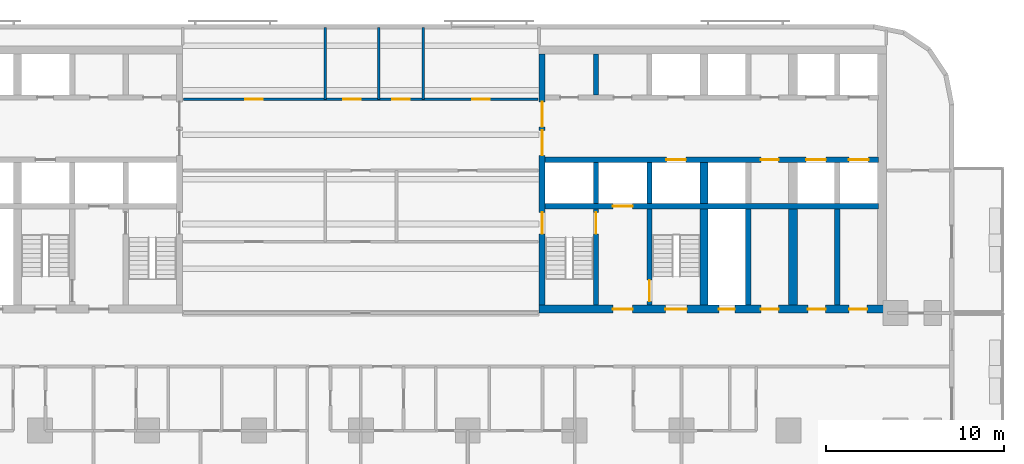
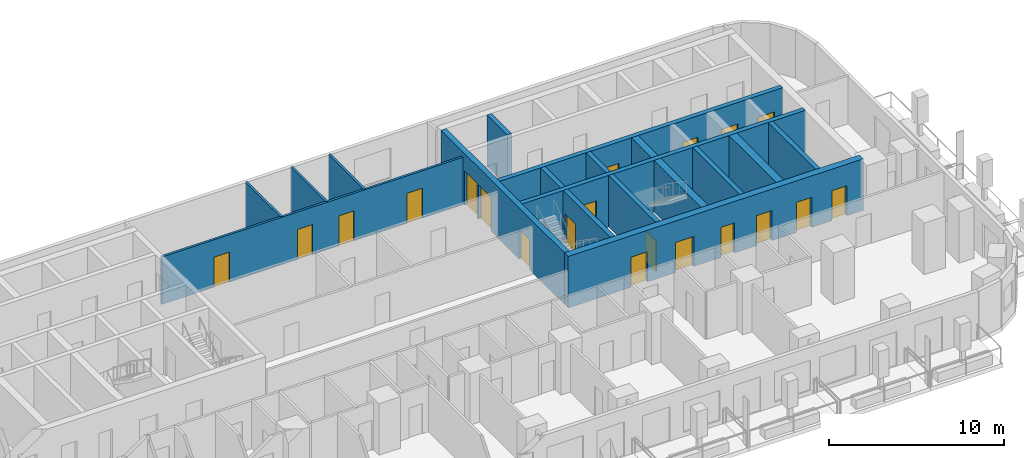
# One storey, part 7 of 14: 20 doors, 18 walls, 20 openings.
"""IFC4 building model written with IfcOpenShell, lengths in metres."""

import ifcopenshell
import ifcopenshell.guid

model = None  # the IFC model being written
_history = None  # IfcOwnerHistory: only IFC2X3 demands one
_inside = {}  # id of a spatial element -> (the spatial element, [elements in it])
_under = {}  # id of a project, library or spatial element -> (it, [spatial elements below it])
_declared = {}  # id of a project -> (the project, [libraries it declares])
_typed = {}  # id of a type object -> (the type object, [elements of that type])
_made_of = {}  # id of a material, layer set ... -> (it, [elements and type objects made of it])


def new_model(schema):
    """Start an empty IFC model of exactly this schema.

    Asked for "IFC4X3", IfcOpenShell would pick the latest addendum, in which some entities
    have other attributes; the version numbers below select the first issue.
    IFC2X3 requires an IfcOwnerHistory on every rooted entity: one is made here for all.
    """
    global model, _history
    if schema == "IFC4X3":
        model = ifcopenshell.file(schema_version=(4, 3, 0, 0))
    else:
        model = ifcopenshell.file(schema=schema)
    _inside.clear()
    _under.clear()
    _declared.clear()
    _typed.clear()
    _made_of.clear()
    _history = None
    if model.schema == "IFC2X3":
        org = make("IfcOrganization", Name="unknown")
        user = make(
            "IfcPersonAndOrganization",
            ThePerson=make("IfcPerson", FamilyName="unknown"),
            TheOrganization=org,
        )
        app = make(
            "IfcApplication",
            ApplicationDeveloper=org,
            Version="unknown",
            ApplicationFullName="unknown",
            ApplicationIdentifier="unknown",
        )
        _history = make(
            "IfcOwnerHistory",
            OwningUser=user,
            OwningApplication=app,
            ChangeAction="ADDED",
            CreationDate=0,
        )
    return model


def make(cls, **values):
    """One entity of the class cls with the attributes given. An attribute that is None is left unset."""
    return model.create_entity(
        cls, **{name: value for name, value in values.items() if value is not None}
    )


def rooted(cls, **values):
    """An entity with a GlobalId (a new one), such as an element, a storey or a relation."""
    return make(cls, GlobalId=ifcopenshell.guid.new(), OwnerHistory=_history, **values)


def si_unit(unit_type, name, prefix=None):
    """IfcSIUnit, for example si_unit("LENGTHUNIT", "METRE", prefix="MILLI")."""
    return make("IfcSIUnit", UnitType=unit_type, Prefix=prefix, Name=name)


def assignment(units):
    """IfcUnitAssignment: the units of a project."""
    return None if units is None else make("IfcUnitAssignment", Units=units)


def point(xyz):
    """IfcCartesianPoint."""
    return None if xyz is None else make("IfcCartesianPoint", Coordinates=xyz)


def direction(xyz):
    """IfcDirection."""
    return None if xyz is None else make("IfcDirection", DirectionRatios=xyz)


def frame(location, z_axis=None, x_axis=None):
    """IfcAxis2Placement3D, a coordinate frame: its origin and axes. An axis left out is left unset."""
    return make(
        "IfcAxis2Placement3D",
        Location=point(location),
        Axis=direction(z_axis),
        RefDirection=direction(x_axis),
    )


def frame_2d(location, x_axis=None):
    """IfcAxis2Placement2D, a coordinate frame in the plane: its origin and x axis."""
    return make(
        "IfcAxis2Placement2D", Location=point(location), RefDirection=direction(x_axis)
    )


def origin():
    """The frame at (0, 0, 0) with its axes left unset."""
    return frame((0.0, 0.0, 0.0))


def place(relative_to, where):
    """IfcLocalPlacement: puts the frame where relative to a parent placement (None: the world)."""
    return make(
        "IfcLocalPlacement", PlacementRelTo=relative_to, RelativePlacement=where
    )


def context(
    kind, dimensions, precision=None, world=None, true_north=None, identifier=None
):
    """IfcGeometricRepresentationContext, for example the 3D "Model" context."""
    return make(
        "IfcGeometricRepresentationContext",
        ContextIdentifier=identifier,
        ContextType=kind,
        CoordinateSpaceDimension=dimensions,
        Precision=precision,
        WorldCoordinateSystem=world,
        TrueNorth=true_north,
    )


def subcontext(parent, identifier, kind, view, scale=None):
    """IfcGeometricRepresentationSubContext, for example "Body" below "Model"."""
    return make(
        "IfcGeometricRepresentationSubContext",
        ContextIdentifier=identifier,
        ContextType=kind,
        ParentContext=parent,
        TargetScale=scale,
        TargetView=view,
    )


def project(units=None, contexts=None):
    """IfcProject with its units and contexts."""
    return rooted(
        "IfcProject",
        Name="project",
        RepresentationContexts=contexts,
        UnitsInContext=assignment(units),
    )


def spatial(cls, under=None, at=None, **own):
    """A site, building, storey or space (cls), placed at a placement, below another one or the project."""
    s = rooted(cls, ObjectPlacement=at, **own)
    if under is not None:
        _under.setdefault(under.id(), (under, []))[1].append(s)
    return s


def profile(cls, at=None, kind="AREA", **sizes):
    """A parametric profile (cls). Its sizes go by their IFC names, for example OverallWidth=200.0."""
    return make(cls, ProfileType=kind, Position=at, **sizes)


def rectangle(**sizes):
    """IfcRectangleProfileDef."""
    return profile("IfcRectangleProfileDef", **sizes)


def extrude(swept, where, along, depth):
    """IfcExtrudedAreaSolid: the profile swept, set in the frame where, extruded along a direction by depth."""
    return make(
        "IfcExtrudedAreaSolid",
        SweptArea=swept,
        Position=where,
        ExtrudedDirection=direction(along),
        Depth=depth,
    )


def shape(context_of_items, identifier, shape_type, items):
    """IfcShapeRepresentation: the items that make up one representation, for example the "Body"."""
    return make(
        "IfcShapeRepresentation",
        ContextOfItems=context_of_items,
        RepresentationIdentifier=identifier,
        RepresentationType=shape_type,
        Items=items,
    )


def material(Name=None, Category=None):
    """IfcMaterial."""
    return make("IfcMaterial", Name=Name, Category=Category)


def layer(
    of_material, thickness, ventilated=None, Name=None, Category=None, Priority=None
):
    """IfcMaterialLayer: one layer of a wall or slab, of a material (None: an air gap)."""
    return make(
        "IfcMaterialLayer",
        Material=of_material,
        LayerThickness=thickness,
        IsVentilated=ventilated,
        Name=Name,
        Category=Category,
        Priority=Priority,
    )


def layer_set(layers, Name=None):
    """IfcMaterialLayerSet."""
    return make("IfcMaterialLayerSet", MaterialLayers=layers, LayerSetName=Name)


def made_of(thing, what):
    """Note that an element or type object is made of a material, layer set ...; save() writes the relation."""
    if what is not None:
        _made_of.setdefault(what.id(), (what, []))[1].append(thing)
    return thing


def type_object(cls, material=None, **own):
    """A type object (cls), such as IfcWallType, which elements share."""
    return made_of(rooted(cls, **own), material)


def element(
    cls,
    number,
    at=None,
    inside=None,
    cuts=None,
    type_object=None,
    material=None,
    context=None,
    identifier="Body",
    shape_type=None,
    held_by="IfcProductDefinitionShape",
    body=None,
    shapes=None,
    **own,
):
    """One element of the class cls, such as IfcWall. Its Tag is "e" and its number.

    at: its placement. inside: the storey or other place that contains it. cuts: it is an
    opening in that element (IfcRelVoidsElement). A single representation is given by context,
    identifier, shape_type and body (its items); several are given by shapes. held_by: the class
    of the entity that holds the representations. save() writes the other relations.
    """
    e = rooted(cls, Tag="e%d" % number, ObjectPlacement=at, **own)
    if body is not None:
        shapes = [shape(context, identifier, shape_type, body)]
    if shapes is not None:
        e.Representation = make(held_by, Representations=shapes)
    if inside is not None:
        _inside.setdefault(inside.id(), (inside, []))[1].append(e)
    if cuts is not None:
        rooted(
            "IfcRelVoidsElement", RelatingBuildingElement=cuts, RelatedOpeningElement=e
        )
    if type_object is not None:
        _typed.setdefault(type_object.id(), (type_object, []))[1].append(e)
    return made_of(e, material)


def fill(opening, filler):
    """IfcRelFillsElement: the door or window that sits in an opening."""
    return rooted(
        "IfcRelFillsElement",
        RelatingOpeningElement=opening,
        RelatedBuildingElement=filler,
    )


def aggregate(whole, parts):
    """IfcRelAggregates: a whole, such as a stair, and the parts it consists of."""
    return rooted("IfcRelAggregates", RelatingObject=whole, RelatedObjects=parts)


def save(model, path):
    """Write the relations noted so far, then the file.

    IfcRelAggregates (storeys below a building ...), IfcRelContainedInSpatialStructure (elements
    in a storey), IfcRelDefinesByType, IfcRelAssociatesMaterial and IfcRelDeclares: one each for
    every whole, place, type object, material and project.
    """
    for whole, parts in _under.values():
        aggregate(whole, parts)
    for where, things in _inside.values():
        rooted(
            "IfcRelContainedInSpatialStructure",
            RelatedElements=things,
            RelatingStructure=where,
        )
    for kind, things in _typed.values():
        rooted("IfcRelDefinesByType", RelatedObjects=things, RelatingType=kind)
    for what, things in _made_of.values():
        rooted("IfcRelAssociatesMaterial", RelatedObjects=things, RelatingMaterial=what)
    for by, libraries in _declared.values():
        rooted("IfcRelDeclares", RelatingContext=by, RelatedDefinitions=libraries)
    model.write(path)


model = new_model("IFC4")

# Units and contexts
model_context = context("Model", 3, precision=1e-05, world=origin(), true_north=direction((0.0, 1.0)))
body_context = subcontext(model_context, "Body", "Model", "MODEL_VIEW")
ifc_project = project(units=[si_unit("LENGTHUNIT", "METRE"), si_unit("AREAUNIT", "SQUARE_METRE"), si_unit("VOLUMEUNIT", "CUBIC_METRE"), si_unit("PLANEANGLEUNIT", "RADIAN"), si_unit("MASSUNIT", "GRAM", prefix="KILO")], contexts=[model_context])

# Site, building, storey
site_placement = place(None, origin())
site = spatial("IfcSite", under=ifc_project, at=site_placement, CompositionType="ELEMENT")
building_placement = place(site_placement, origin())
building = spatial("IfcBuilding", under=site, at=building_placement, Name="Torana Hotel and Residences", CompositionType="ELEMENT")
storey_placement = place(building_placement, frame((0.0, 0.0, 99.60009765625)))
storey = spatial("IfcBuildingStorey", under=building, at=storey_placement, Name="L25", CompositionType="ELEMENT", Elevation=99.60009765625)

# Wall, openings, doors
ifc_material_1 = material(Name="Concrete C80/95", Category="concrete")
ifc_layer_1 = layer(ifc_material_1, 0.300048828125)
ifc_layer_set_1 = layer_set([ifc_layer_1], Name="CORE WALL 300 C80/95")
wall_type_1 = type_object("IfcWallType", Name="CORE WALL 300 C80/95", PredefinedType="SHEAR", material=ifc_layer_set_1)
wall_1_placement = place(storey_placement, frame((10.35009765625, -6.39990234375, 0.0), z_axis=(0.0, 0.0, 1.0), x_axis=(1.0, 0.0, 0.0)))
wall_1 = element("IfcWall", 1, at=wall_1_placement, inside=storey, type_object=wall_type_1, Name="Core wall E row-S", PredefinedType="SHEAR", context=body_context, shape_type="SweptSolid", body=[
    extrude(rectangle(XDim=18.699951171875, YDim=0.300048828125, at=frame_2d((9.35009765625, 0.0))), origin(), (0.0, 0.0, 1.0), 3.599853515625),
])
opening_1_placement = place(wall_1_placement, frame((14.64990234375, 0.0, 0.0)))
opening_1 = element("IfcOpeningElement", 2, at=opening_1_placement, cuts=wall_1, Name="Opening LD", PredefinedType="OPENING", context=body_context, shape_type="SweptSolid", body=[
    extrude(rectangle(XDim=1.10009765625, YDim=2.10009765625, at=frame_2d((0.550048828125, 1.050048828125))), frame((0.0, 0.159912109375, 0.0), z_axis=(0.0, -1.0, 0.0), x_axis=(1.0, 0.0, 0.0)), (0.0, 0.0, 1.0), 0.320068359375),
])
opening_2_placement = place(wall_1_placement, frame((17.050048828125, 0.0, 0.0)))
opening_2 = element("IfcOpeningElement", 3, at=opening_2_placement, cuts=wall_1, Name="Opening LD", PredefinedType="OPENING", context=body_context, shape_type="SweptSolid", body=[
    extrude(rectangle(XDim=1.10009765625, YDim=2.10009765625, at=frame_2d((0.550048828125, 1.050048828125))), frame((0.0, 0.159912109375, 0.0), z_axis=(0.0, -1.0, 0.0), x_axis=(1.0, 0.0, 0.0)), (0.0, 0.0, 1.0), 0.320068359375),
])
opening_3_placement = place(wall_1_placement, frame((6.800048828125, 0.0, 0.0)))
opening_3 = element("IfcOpeningElement", 4, at=opening_3_placement, cuts=wall_1, Name="Opening LD", PredefinedType="OPENING", context=body_context, shape_type="SweptSolid", body=[
    extrude(rectangle(XDim=1.10009765625, YDim=2.10009765625, at=frame_2d((0.550048828125, 1.050048828125))), frame((0.0, 0.159912109375, 0.0), z_axis=(0.0, -1.0, 0.0), x_axis=(1.0, 0.0, 0.0)), (0.0, 0.0, 1.0), 0.320068359375),
])
opening_4_placement = place(wall_1_placement, frame((12.10009765625, 0.0, 0.0)))
opening_4 = element("IfcOpeningElement", 5, at=opening_4_placement, cuts=wall_1, Name="Opening L25-30", PredefinedType="OPENING", context=body_context, shape_type="SweptSolid", body=[
    extrude(rectangle(XDim=1.0, YDim=2.10009765625, at=frame_2d((0.5, 1.050048828125))), frame((0.0, 0.159912109375, 0.0), z_axis=(0.0, -1.0, 0.0), x_axis=(1.0, 0.0, 0.0)), (0.0, 0.0, 1.0), 0.320068359375),
])
ifc_material_2 = material(Name="Steel S235", Category="steel")
door_type_1 = type_object("IfcDoorType", Name="CORE ROOM FIRE DOOR D14 1000x2100", OperationType="SINGLE_SWING_LEFT", PredefinedType="DOOR", material=ifc_material_2)
door_1_placement = place(opening_4_placement, frame((0.5, 0.0, 0.0), z_axis=(0.0, 0.0, 1.0), x_axis=(-1.0, 0.0, 0.0)))
door_1 = element("IfcDoor", 6, at=door_1_placement, inside=storey, type_object=door_type_1, Name="Free-M4 door L25", OperationType="SINGLE_SWING_LEFT", OverallHeight=2.10009765625, OverallWidth=1.0, PredefinedType="DOOR", context=body_context, shape_type="SweptSolid", body=[
    extrude(rectangle(XDim=1.0, YDim=2.10009765625, at=frame_2d((0.0, 1.050048828125))), frame((0.0, -0.02490234375, 0.0), z_axis=(0.0, 1.0, 0.0), x_axis=(-1.0, 0.0, 0.0)), (0.0, 0.0, 1.0), 0.050048828125),
])
fill(opening_4, door_1)
ifc_material_3 = material(Name="Stainless steel 316", Category="steel")
door_type_2 = type_object("IfcDoorType", Name="LIFT LANDING DOOR LD 1100x2100", OperationType="DOUBLE_DOOR_SLIDING", PredefinedType="USERDEFINED", material=ifc_material_3)
door_2_placement = place(opening_1_placement, origin())
door_2 = element("IfcDoor", 7, at=door_2_placement, inside=storey, type_object=door_type_2, Name="Lift landing door L7 L25", ObjectType="LIFT LANDING DOOR", OperationType="DOUBLE_DOOR_SLIDING", OverallHeight=2.10009765625, OverallWidth=1.10009765625, PredefinedType="USERDEFINED", context=body_context, shape_type="SweptSolid", body=[
    extrude(rectangle(XDim=1.10009765625, YDim=2.10009765625, at=frame_2d((0.550048828125, 1.050048828125))), frame((0.0, 0.02490234375, 0.0), z_axis=(0.0, -1.0, 0.0), x_axis=(1.0, 0.0, 0.0)), (0.0, 0.0, 1.0), 0.050048828125),
])
fill(opening_1, door_2)
door_3_placement = place(opening_2_placement, origin())
door_3 = element("IfcDoor", 8, at=door_3_placement, inside=storey, type_object=door_type_2, Name="Lift landing door L8 L25", ObjectType="LIFT LANDING DOOR", OperationType="DOUBLE_DOOR_SLIDING", OverallHeight=2.10009765625, OverallWidth=1.10009765625, PredefinedType="USERDEFINED", context=body_context, shape_type="SweptSolid", body=[
    extrude(rectangle(XDim=1.10009765625, YDim=2.10009765625, at=frame_2d((0.550048828125, 1.050048828125))), frame((0.0, 0.02490234375, 0.0), z_axis=(0.0, -1.0, 0.0), x_axis=(1.0, 0.0, 0.0)), (0.0, 0.0, 1.0), 0.050048828125),
])
fill(opening_2, door_3)
door_4_placement = place(opening_3_placement, origin())
door_4 = element("IfcDoor", 9, at=door_4_placement, inside=storey, type_object=door_type_2, Name="Lift landing door SV2 L25", ObjectType="LIFT LANDING DOOR", OperationType="DOUBLE_DOOR_SLIDING", OverallHeight=2.10009765625, OverallWidth=1.10009765625, PredefinedType="USERDEFINED", context=body_context, shape_type="SweptSolid", body=[
    extrude(rectangle(XDim=1.10009765625, YDim=2.10009765625, at=frame_2d((0.550048828125, 1.050048828125))), frame((0.0, 0.02490234375, 0.0), z_axis=(0.0, -1.0, 0.0), x_axis=(1.0, 0.0, 0.0)), (0.0, 0.0, 1.0), 0.050048828125),
])
fill(opening_3, door_4)

# Wall, opening, door
wall_2_placement = place(storey_placement, frame((10.35009765625, -9.0, 0.0), z_axis=(0.0, 0.0, 1.0), x_axis=(1.0, 0.0, 0.0)))
wall_2 = element("IfcWall", 10, at=wall_2_placement, inside=storey, type_object=wall_type_1, Name="Core wall E band", PredefinedType="SHEAR", context=body_context, shape_type="SweptSolid", body=[
    extrude(rectangle(XDim=18.699951171875, YDim=0.300048828125, at=frame_2d((9.35009765625, 0.0))), origin(), (0.0, 0.0, 1.0), 3.599853515625),
])
opening_5_placement = place(wall_2_placement, frame((3.800048828125, 0.0, 0.0)))
opening_5 = element("IfcOpeningElement", 11, at=opening_5_placement, cuts=wall_2, Name="Opening LD", PredefinedType="OPENING", context=body_context, shape_type="SweptSolid", body=[
    extrude(rectangle(XDim=1.10009765625, YDim=2.10009765625, at=frame_2d((0.550048828125, 1.050048828125))), frame((0.0, 0.159912109375, 0.0), z_axis=(0.0, -1.0, 0.0), x_axis=(1.0, 0.0, 0.0)), (0.0, 0.0, 1.0), 0.320068359375),
])
door_5_placement = place(opening_5_placement, origin())
door_5 = element("IfcDoor", 12, at=door_5_placement, inside=storey, type_object=door_type_2, Name="Lift landing door FF2 L25", ObjectType="LIFT LANDING DOOR", OperationType="DOUBLE_DOOR_SLIDING", OverallHeight=2.10009765625, OverallWidth=1.10009765625, PredefinedType="USERDEFINED", context=body_context, shape_type="SweptSolid", body=[
    extrude(rectangle(XDim=1.10009765625, YDim=2.10009765625, at=frame_2d((0.550048828125, 1.050048828125))), frame((0.0, 0.02490234375, 0.0), z_axis=(0.0, -1.0, 0.0), x_axis=(1.0, 0.0, 0.0)), (0.0, 0.0, 1.0), 0.050048828125),
])
fill(opening_5, door_5)

# Walls
for number, where, z_axis, x_axis, name in (
    (13, (13.199951171875, -2.75, 0.0), (0.0, 0.0, 1.0), (0.0, 1.0, 0.0), "Core wall E x3.05-N"),
    (14, (13.199951171875, -8.85009765625, 0.0), (0.0, 0.0, 1.0), (0.0, 1.0, 0.0), "Core wall E x3.05-S"),
):
    element("IfcWall", number, at=place(storey_placement, frame(where, z_axis=z_axis, x_axis=x_axis)), inside=storey, type_object=wall_type_1, Name=name, PredefinedType="SHEAR", context=body_context, shape_type="SweptSolid", body=[
        extrude(rectangle(XDim=2.300048828125, YDim=0.300048828125, at=frame_2d((1.14990234375, 0.0))), origin(), (0.0, 0.0, 1.0), 3.599853515625),
    ])

# Wall, opening, door
wall_3_placement = place(storey_placement, frame((13.199951171875, -14.550048828125, 0.0), z_axis=(0.0, 0.0, 1.0), x_axis=(0.0, 1.0, 0.0)))
wall_3 = element("IfcWall", 15, at=wall_3_placement, inside=storey, type_object=wall_type_1, Name="Core wall E x3.05-band", PredefinedType="SHEAR", context=body_context, shape_type="SweptSolid", body=[
    extrude(rectangle(XDim=5.400146484375, YDim=0.300048828125, at=frame_2d((2.7001953125, 0.0))), origin(), (0.0, 0.0, 1.0), 3.599853515625),
])
opening_6_placement = place(wall_3_placement, frame((4.0, 0.0, 0.0)))
opening_6 = element("IfcOpeningElement", 16, at=opening_6_placement, cuts=wall_3, Name="Opening L25-31", PredefinedType="OPENING", context=body_context, shape_type="SweptSolid", body=[
    extrude(rectangle(XDim=1.199951171875, YDim=2.10009765625, at=frame_2d((0.60009765625, 1.050048828125))), frame((0.0, 0.159912109375, 0.0), z_axis=(0.0, -1.0, 0.0), x_axis=(1.0, 0.0, 0.0)), (0.0, 0.0, 1.0), 0.320068359375),
])
ifc_material_4 = material(Name="Steel S235", Category="steel")
door_type_3 = type_object("IfcDoorType", Name="STAIR FIRE DOOR D3 1200x2100", OperationType="SINGLE_SWING_LEFT", PredefinedType="DOOR", material=ifc_material_4)
door_6_placement = place(opening_6_placement, origin())
door_6 = element("IfcDoor", 17, at=door_6_placement, inside=storey, type_object=door_type_3, Name="Stair-A-lobby door L25", OperationType="SINGLE_SWING_LEFT", OverallHeight=2.10009765625, OverallWidth=1.199951171875, PredefinedType="DOOR", context=body_context, shape_type="SweptSolid", body=[
    extrude(rectangle(XDim=1.199951171875, YDim=2.10009765625, at=frame_2d((0.60009765625, 1.050048828125))), frame((0.0, 0.02490234375, 0.0), z_axis=(0.0, -1.0, 0.0), x_axis=(1.0, 0.0, 0.0)), (0.0, 0.0, 1.0), 0.050048828125),
])
fill(opening_6, door_6)

# Wall
wall_4_placement = place(storey_placement, frame((16.199951171875, -8.85009765625, 0.0), z_axis=(0.0, 0.0, 1.0), x_axis=(0.0, 1.0, 0.0)))
element("IfcWall", 18, at=wall_4_placement, inside=storey, type_object=wall_type_1, Name="Core wall E x6.05-S", PredefinedType="SHEAR", context=body_context, shape_type="SweptSolid", body=[
    extrude(rectangle(XDim=2.300048828125, YDim=0.300048828125, at=frame_2d((1.14990234375, 0.0))), origin(), (0.0, 0.0, 1.0), 3.599853515625),
])

# Wall, opening, door
wall_5_placement = place(storey_placement, frame((16.199951171875, -14.550048828125, 0.0), z_axis=(0.0, 0.0, 1.0), x_axis=(0.0, 1.0, 0.0)))
wall_5 = element("IfcWall", 19, at=wall_5_placement, inside=storey, type_object=wall_type_1, Name="Core wall E x6.05-band", PredefinedType="SHEAR", context=body_context, shape_type="SweptSolid", body=[
    extrude(rectangle(XDim=5.400146484375, YDim=0.300048828125, at=frame_2d((2.7001953125, 0.0))), origin(), (0.0, 0.0, 1.0), 3.599853515625),
])
opening_7_placement = place(wall_5_placement, frame((0.199951171875, 0.0, 0.0)))
opening_7 = element("IfcOpeningElement", 20, at=opening_7_placement, cuts=wall_5, Name="Opening L25-32", PredefinedType="OPENING", context=body_context, shape_type="SweptSolid", body=[
    extrude(rectangle(XDim=1.199951171875, YDim=2.10009765625, at=frame_2d((0.60009765625, 1.050048828125))), frame((0.0, 0.159912109375, 0.0), z_axis=(0.0, -1.0, 0.0), x_axis=(1.0, 0.0, 0.0)), (0.0, 0.0, 1.0), 0.320068359375),
])
door_7_placement = place(opening_7_placement, frame((0.60009765625, 0.0, 0.0), z_axis=(0.0, 0.0, 1.0), x_axis=(-1.0, 0.0, 0.0)))
door_7 = element("IfcDoor", 21, at=door_7_placement, inside=storey, type_object=door_type_3, Name="Stair-B-lobby door L25", OperationType="SINGLE_SWING_LEFT", OverallHeight=2.10009765625, OverallWidth=1.199951171875, PredefinedType="DOOR", context=body_context, shape_type="SweptSolid", body=[
    extrude(rectangle(XDim=1.199951171875, YDim=2.10009765625, at=frame_2d((0.0, 1.050048828125))), frame((0.0, -0.02490234375, 0.0), z_axis=(0.0, 1.0, 0.0), x_axis=(-1.0, 0.0, 0.0)), (0.0, 0.0, 1.0), 0.050048828125),
])
fill(opening_7, door_7)

# Walls
for number, where, z_axis, x_axis, name in (
    (22, (21.75, -14.550048828125, 0.0), (0.0, 0.0, 1.0), (0.0, 1.0, 0.0), "Core wall E mm-band"),
    (23, (26.75, -14.550048828125, 0.0), (0.0, 0.0, 1.0), (0.0, 1.0, 0.0), "Core wall E ll-band"),
):
    element("IfcWall", number, at=place(storey_placement, frame(where, z_axis=z_axis, x_axis=x_axis)), inside=storey, type_object=wall_type_1, Name=name, PredefinedType="SHEAR", context=body_context, shape_type="SweptSolid", body=[
        extrude(rectangle(XDim=5.400146484375, YDim=0.300048828125, at=frame_2d((2.7001953125, 0.0))), origin(), (0.0, 0.0, 1.0), 3.599853515625),
    ])

# Wall, openings, doors
ifc_material_5 = material(Name="Concrete C80/95", Category="concrete")
ifc_layer_2 = layer(ifc_material_5, 0.35009765625)
ifc_layer_set_2 = layer_set([ifc_layer_2], Name="CORE WALL 350 C80/95")
wall_type_2 = type_object("IfcWallType", Name="CORE WALL 350 C80/95", PredefinedType="SHEAR", material=ifc_layer_set_2)
wall_6_placement = place(storey_placement, frame((10.175048828125, -14.550048828125, 0.0), z_axis=(0.0, 0.0, 1.0), x_axis=(0.0, 1.0, 0.0)))
wall_6 = element("IfcWall", 24, at=wall_6_placement, inside=storey, type_object=wall_type_2, Name="Core wall E arch", PredefinedType="SHEAR", context=body_context, shape_type="SweptSolid", body=[
    extrude(rectangle(XDim=14.10009765625, YDim=0.35009765625, at=frame_2d((7.050048828125, 0.0))), origin(), (0.0, 0.0, 1.0), 3.599853515625),
])
opening_8_placement = place(wall_6_placement, frame((8.39990234375, 0.0, 0.0)))
opening_8 = element("IfcOpeningElement", 25, at=opening_8_placement, cuts=wall_6, Name="Opening L25-17", PredefinedType="OPENING", context=body_context, shape_type="SweptSolid", body=[
    extrude(rectangle(XDim=1.39990234375, YDim=2.39990234375, at=frame_2d((0.699951171875, 1.199951171875))), frame((0.0, 0.18505859375, 0.0), z_axis=(0.0, -1.0, 0.0), x_axis=(1.0, 0.0, 0.0)), (0.0, 0.0, 1.0), 0.3701171875),
])
opening_9_placement = place(wall_6_placement, frame((10.0, 0.0, 0.0)))
opening_9 = element("IfcOpeningElement", 26, at=opening_9_placement, cuts=wall_6, Name="Opening L25-18", PredefinedType="OPENING", context=body_context, shape_type="SweptSolid", body=[
    extrude(rectangle(XDim=1.39990234375, YDim=2.39990234375, at=frame_2d((0.699951171875, 1.199951171875))), frame((0.0, 0.18505859375, 0.0), z_axis=(0.0, -1.0, 0.0), x_axis=(1.0, 0.0, 0.0)), (0.0, 0.0, 1.0), 0.3701171875),
])
opening_10_placement = place(wall_6_placement, frame((4.0, 0.0, 0.0)))
opening_10 = element("IfcOpeningElement", 27, at=opening_10_placement, cuts=wall_6, Name="Opening L25-19", PredefinedType="OPENING", context=body_context, shape_type="SweptSolid", body=[
    extrude(rectangle(XDim=1.199951171875, YDim=2.10009765625, at=frame_2d((0.60009765625, 1.050048828125))), frame((0.0, 0.18505859375, 0.0), z_axis=(0.0, -1.0, 0.0), x_axis=(1.0, 0.0, 0.0)), (0.0, 0.0, 1.0), 0.3701171875),
])
ifc_material_6 = material(Name="Steel S235", Category="steel")
door_type_4 = type_object("IfcDoorType", Name="LOBBY FIRE DOOR D4 1400x2400", OperationType="DOUBLE_DOOR_SINGLE_SWING", PredefinedType="DOOR", material=ifc_material_6)
door_8_placement = place(opening_8_placement, origin())
door_8 = element("IfcDoor", 28, at=door_8_placement, inside=storey, type_object=door_type_4, Name="Lobby-1 door L25", OperationType="DOUBLE_DOOR_SINGLE_SWING", OverallHeight=2.39990234375, OverallWidth=1.39990234375, PredefinedType="DOOR", context=body_context, shape_type="SweptSolid", body=[
    extrude(rectangle(XDim=1.39990234375, YDim=2.39990234375, at=frame_2d((0.699951171875, 1.199951171875))), frame((0.0, 0.02490234375, 0.0), z_axis=(0.0, -1.0, 0.0), x_axis=(1.0, 0.0, 0.0)), (0.0, 0.0, 1.0), 0.050048828125),
])
fill(opening_8, door_8)
door_9_placement = place(opening_9_placement, origin())
door_9 = element("IfcDoor", 29, at=door_9_placement, inside=storey, type_object=door_type_4, Name="Lobby-2 door L25", OperationType="DOUBLE_DOOR_SINGLE_SWING", OverallHeight=2.39990234375, OverallWidth=1.39990234375, PredefinedType="DOOR", context=body_context, shape_type="SweptSolid", body=[
    extrude(rectangle(XDim=1.39990234375, YDim=2.39990234375, at=frame_2d((0.699951171875, 1.199951171875))), frame((0.0, 0.02490234375, 0.0), z_axis=(0.0, -1.0, 0.0), x_axis=(1.0, 0.0, 0.0)), (0.0, 0.0, 1.0), 0.050048828125),
])
fill(opening_9, door_9)
door_10_placement = place(opening_10_placement, frame((0.60009765625, 0.0, 0.0), z_axis=(0.0, 0.0, 1.0), x_axis=(-1.0, 0.0, 0.0)))
door_10 = element("IfcDoor", 30, at=door_10_placement, inside=storey, type_object=door_type_3, Name="Stair-A door L25", OperationType="SINGLE_SWING_RIGHT", OverallHeight=2.10009765625, OverallWidth=1.199951171875, PredefinedType="DOOR", context=body_context, shape_type="SweptSolid", body=[
    extrude(rectangle(XDim=1.199951171875, YDim=2.10009765625, at=frame_2d((0.0, 1.050048828125))), frame((0.0, -0.02490234375, 0.0), z_axis=(0.0, 1.0, 0.0), x_axis=(-1.0, 0.0, 0.0)), (0.0, 0.0, 1.0), 0.050048828125),
])
fill(opening_10, door_10)

ifc_material_7 = material(Name="Concrete C80/95", Category="concrete")
ifc_layer_3 = layer(ifc_material_7, 0.449951171875)
ifc_layer_set_3 = layer_set([ifc_layer_3], Name="CORE WALL 450 C80/95")
wall_type_3 = type_object("IfcWallType", Name="CORE WALL 450 C80/95", PredefinedType="SHEAR", material=ifc_layer_set_3)
wall_7_placement = place(storey_placement, frame((10.0, -14.77490234375, 0.0), z_axis=(0.0, 0.0, 1.0), x_axis=(1.0, 0.0, 0.0)))
wall_7 = element("IfcWall", 31, at=wall_7_placement, inside=storey, type_object=wall_type_3, Name="Core wall E front", PredefinedType="SHEAR", context=body_context, shape_type="SweptSolid", body=[
    extrude(rectangle(XDim=19.5, YDim=0.449951171875, at=frame_2d((9.75, 0.0))), origin(), (0.0, 0.0, 1.0), 3.599853515625),
])
opening_11_placement = place(wall_7_placement, frame((7.10009765625, 0.0, 0.0)))
opening_11 = element("IfcOpeningElement", 32, at=opening_11_placement, cuts=wall_7, Name="Opening L25-20", PredefinedType="OPENING", context=body_context, shape_type="SweptSolid", body=[
    extrude(rectangle(XDim=1.199951171875, YDim=2.10009765625, at=frame_2d((0.60009765625, 1.050048828125))), frame((0.0, 0.23486328125, 0.0), z_axis=(0.0, -1.0, 0.0), x_axis=(1.0, 0.0, 0.0)), (0.0, 0.0, 1.0), 0.469970703125),
])
opening_12_placement = place(wall_7_placement, frame((4.14990234375, 0.0, 0.0)))
opening_12 = element("IfcOpeningElement", 33, at=opening_12_placement, cuts=wall_7, Name="Opening L25-21", PredefinedType="OPENING", context=body_context, shape_type="SweptSolid", body=[
    extrude(rectangle(XDim=1.10009765625, YDim=2.10009765625, at=frame_2d((0.550048828125, 1.050048828125))), frame((0.0, 0.23486328125, 0.0), z_axis=(0.0, -1.0, 0.0), x_axis=(1.0, 0.0, 0.0)), (0.0, 0.0, 1.0), 0.469970703125),
])
opening_13_placement = place(wall_7_placement, frame((10.10009765625, 0.0, 0.0)))
opening_13 = element("IfcOpeningElement", 34, at=opening_13_placement, cuts=wall_7, Name="Opening L25-22", PredefinedType="OPENING", context=body_context, shape_type="SweptSolid", body=[
    extrude(rectangle(XDim=0.89990234375, YDim=2.10009765625, at=frame_2d((0.449951171875, 1.050048828125))), frame((0.0, 0.23486328125, 0.0), z_axis=(0.0, -1.0, 0.0), x_axis=(1.0, 0.0, 0.0)), (0.0, 0.0, 1.0), 0.469970703125),
])
opening_14_placement = place(wall_7_placement, frame((12.449951171875, 0.0, 0.0)))
opening_14 = element("IfcOpeningElement", 35, at=opening_14_placement, cuts=wall_7, Name="Opening L25-23", PredefinedType="OPENING", context=body_context, shape_type="SweptSolid", body=[
    extrude(rectangle(XDim=1.0, YDim=2.10009765625, at=frame_2d((0.5, 1.050048828125))), frame((0.0, 0.23486328125, 0.0), z_axis=(0.0, -1.0, 0.0), x_axis=(1.0, 0.0, 0.0)), (0.0, 0.0, 1.0), 0.469970703125),
])
opening_15_placement = place(wall_7_placement, frame((15.08740234375, 0.0, 0.0)))
opening_15 = element("IfcOpeningElement", 36, at=opening_15_placement, cuts=wall_7, Name="Opening L25-24", PredefinedType="OPENING", context=body_context, shape_type="SweptSolid", body=[
    extrude(rectangle(XDim=1.0, YDim=2.10009765625, at=frame_2d((0.5, 1.050048828125))), frame((0.0, 0.23486328125, 0.0), z_axis=(0.0, -1.0, 0.0), x_axis=(1.0, 0.0, 0.0)), (0.0, 0.0, 1.0), 0.469970703125),
])
opening_16_placement = place(wall_7_placement, frame((17.41259765625, 0.0, 0.0)))
opening_16 = element("IfcOpeningElement", 37, at=opening_16_placement, cuts=wall_7, Name="Opening L25-25", PredefinedType="OPENING", context=body_context, shape_type="SweptSolid", body=[
    extrude(rectangle(XDim=1.0, YDim=2.10009765625, at=frame_2d((0.5, 1.050048828125))), frame((0.0, 0.23486328125, 0.0), z_axis=(0.0, -1.0, 0.0), x_axis=(1.0, 0.0, 0.0)), (0.0, 0.0, 1.0), 0.469970703125),
])
door_11_placement = place(opening_14_placement, origin())
door_11 = element("IfcDoor", 38, at=door_11_placement, inside=storey, type_object=door_type_1, Name="M-Room door L25", OperationType="SINGLE_SWING_RIGHT", OverallHeight=2.10009765625, OverallWidth=1.0, PredefinedType="DOOR", context=body_context, shape_type="SweptSolid", body=[
    extrude(rectangle(XDim=1.0, YDim=2.10009765625, at=frame_2d((0.5, 1.050048828125))), frame((0.0, 0.02490234375, 0.0), z_axis=(0.0, -1.0, 0.0), x_axis=(1.0, 0.0, 0.0)), (0.0, 0.0, 1.0), 0.050048828125),
])
fill(opening_14, door_11)
door_12_placement = place(opening_15_placement, origin())
door_12 = element("IfcDoor", 39, at=door_12_placement, inside=storey, type_object=door_type_1, Name="L-A door L25", OperationType="SINGLE_SWING_RIGHT", OverallHeight=2.10009765625, OverallWidth=1.0, PredefinedType="DOOR", context=body_context, shape_type="SweptSolid", body=[
    extrude(rectangle(XDim=1.0, YDim=2.10009765625, at=frame_2d((0.5, 1.050048828125))), frame((0.0, 0.02490234375, 0.0), z_axis=(0.0, -1.0, 0.0), x_axis=(1.0, 0.0, 0.0)), (0.0, 0.0, 1.0), 0.050048828125),
])
fill(opening_15, door_12)
door_13_placement = place(opening_16_placement, origin())
door_13 = element("IfcDoor", 40, at=door_13_placement, inside=storey, type_object=door_type_1, Name="L-B door L25", OperationType="SINGLE_SWING_RIGHT", OverallHeight=2.10009765625, OverallWidth=1.0, PredefinedType="DOOR", context=body_context, shape_type="SweptSolid", body=[
    extrude(rectangle(XDim=1.0, YDim=2.10009765625, at=frame_2d((0.5, 1.050048828125))), frame((0.0, 0.02490234375, 0.0), z_axis=(0.0, -1.0, 0.0), x_axis=(1.0, 0.0, 0.0)), (0.0, 0.0, 1.0), 0.050048828125),
])
fill(opening_16, door_13)
ifc_material_8 = material(Name="Steel S235", Category="steel")
door_type_5 = type_object("IfcDoorType", Name="FIRE-FIGHTING LOBBY DOOR D8 1100x2100", OperationType="SINGLE_SWING_LEFT", PredefinedType="DOOR", material=ifc_material_8)
door_14_placement = place(opening_12_placement, origin())
door_14 = element("IfcDoor", 41, at=door_14_placement, inside=storey, type_object=door_type_5, Name="FF-lobby door L25", OperationType="SINGLE_SWING_RIGHT", OverallHeight=2.10009765625, OverallWidth=1.10009765625, PredefinedType="DOOR", context=body_context, shape_type="SweptSolid", body=[
    extrude(rectangle(XDim=1.10009765625, YDim=2.10009765625, at=frame_2d((0.550048828125, 1.050048828125))), frame((0.0, 0.02490234375, 0.0), z_axis=(0.0, -1.0, 0.0), x_axis=(1.0, 0.0, 0.0)), (0.0, 0.0, 1.0), 0.050048828125),
])
fill(opening_12, door_14)
ifc_material_9 = material(Name="Steel S235", Category="steel")
door_type_6 = type_object("IfcDoorType", Name="RISER ACCESS DOOR D5 900x2100", OperationType="SINGLE_SWING_LEFT", PredefinedType="DOOR", material=ifc_material_9)
door_15_placement = place(opening_13_placement, origin())
door_15 = element("IfcDoor", 42, at=door_15_placement, inside=storey, type_object=door_type_6, Name="M-Riser door L25", OperationType="SINGLE_SWING_RIGHT", OverallHeight=2.10009765625, OverallWidth=0.89990234375, PredefinedType="DOOR", context=body_context, shape_type="SweptSolid", body=[
    extrude(rectangle(XDim=0.89990234375, YDim=2.10009765625, at=frame_2d((0.449951171875, 1.050048828125))), frame((0.0, 0.02490234375, 0.0), z_axis=(0.0, -1.0, 0.0), x_axis=(1.0, 0.0, 0.0)), (0.0, 0.0, 1.0), 0.050048828125),
])
fill(opening_13, door_15)
door_16_placement = place(opening_11_placement, origin())
door_16 = element("IfcDoor", 43, at=door_16_placement, inside=storey, type_object=door_type_3, Name="Stair-B door L25", OperationType="SINGLE_SWING_RIGHT", OverallHeight=2.10009765625, OverallWidth=1.199951171875, PredefinedType="DOOR", context=body_context, shape_type="SweptSolid", body=[
    extrude(rectangle(XDim=1.199951171875, YDim=2.10009765625, at=frame_2d((0.60009765625, 1.050048828125))), frame((0.0, 0.02490234375, 0.0), z_axis=(0.0, -1.0, 0.0), x_axis=(1.0, 0.0, 0.0)), (0.0, 0.0, 1.0), 0.050048828125),
])
fill(opening_11, door_16)

# Walls
wall_8_placement = place(storey_placement, frame((19.27490234375, -8.85009765625, 0.0), z_axis=(0.0, 0.0, 1.0), x_axis=(0.0, 1.0, 0.0)))
element("IfcWall", 44, at=wall_8_placement, inside=storey, type_object=wall_type_3, Name="Core wall E hm-S", PredefinedType="SHEAR", context=body_context, shape_type="SweptSolid", body=[
    extrude(rectangle(XDim=2.300048828125, YDim=0.449951171875, at=frame_2d((1.14990234375, 0.0))), origin(), (0.0, 0.0, 1.0), 3.599853515625),
])
wall_9_placement = place(storey_placement, frame((19.27490234375, -14.550048828125, 0.0), z_axis=(0.0, 0.0, 1.0), x_axis=(0.0, 1.0, 0.0)))
element("IfcWall", 45, at=wall_9_placement, inside=storey, type_object=wall_type_3, Name="Core wall E hm-band", PredefinedType="SHEAR", context=body_context, shape_type="SweptSolid", body=[
    extrude(rectangle(XDim=5.400146484375, YDim=0.449951171875, at=frame_2d((2.7001953125, 0.0))), origin(), (0.0, 0.0, 1.0), 3.599853515625),
])
ifc_material_10 = material(Name="Concrete C80/95", Category="concrete")
ifc_layer_4 = layer(ifc_material_10, 0.5)
ifc_layer_set_4 = layer_set([ifc_layer_4], Name="CORE WALL 500 C80/95")
wall_type_4 = type_object("IfcWallType", Name="CORE WALL 500 C80/95", PredefinedType="SHEAR", material=ifc_layer_set_4)
wall_10_placement = place(storey_placement, frame((24.25, -14.550048828125, 0.0), z_axis=(0.0, 0.0, 1.0), x_axis=(0.0, 1.0, 0.0)))
element("IfcWall", 46, at=wall_10_placement, inside=storey, type_object=wall_type_4, Name="Core wall E ml-band", PredefinedType="SHEAR", context=body_context, shape_type="SweptSolid", body=[
    extrude(rectangle(XDim=5.400146484375, YDim=0.5, at=frame_2d((2.7001953125, 0.0))), origin(), (0.0, 0.0, 1.0), 3.599853515625),
])

# Wall, openings, doors
ifc_material_11 = material(Name="Gypsum plaster")
ifc_layer_5 = layer(ifc_material_11, 0.014892578125, Name="Plaster", Category="finish")
ifc_material_12 = material(Name="Concrete blockwork", Category="masonry")
ifc_layer_6 = layer(ifc_material_12, 0.1201171875, Name="Blockwork", Category="structure")
ifc_layer_7 = layer(ifc_material_11, 0.014892578125, Name="Plaster", Category="finish")
ifc_layer_set_5 = layer_set([ifc_layer_5, ifc_layer_6, ifc_layer_7], Name="FIRE PARTITION 150 BLOCKWORK")
wall_type_5 = type_object("IfcWallType", Name="FIRE PARTITION 150 BLOCKWORK", PredefinedType="PARTITIONING", material=ifc_layer_set_5)
wall_11_placement = place(storey_placement, frame((-9.949951171875, -3.0, 0.0), z_axis=(0.0, 0.0, 1.0), x_axis=(1.0, 0.0, 0.0)))
wall_11 = element("IfcWall", 47, at=wall_11_placement, inside=storey, type_object=wall_type_5, Name="Partition L25", PredefinedType="PARTITIONING", context=body_context, shape_type="SweptSolid", body=[
    extrude(rectangle(XDim=19.89990234375, YDim=0.14990234375, at=frame_2d((9.949951171875, 0.0))), origin(), (0.0, 0.0, 1.0), 3.31982421875),
])
opening_17_placement = place(wall_11_placement, frame((3.449951171875, 0.0, 0.0)))
opening_17 = element("IfcOpeningElement", 48, at=opening_17_placement, cuts=wall_11, Name="Opening L25-47", PredefinedType="OPENING", context=body_context, shape_type="SweptSolid", body=[
    extrude(rectangle(XDim=1.0, YDim=2.10009765625, at=frame_2d((0.5, 1.050048828125))), frame((0.0, 0.0849609375, 0.0), z_axis=(0.0, -1.0, 0.0), x_axis=(1.0, 0.0, 0.0)), (0.0, 0.0, 1.0), 0.169921875),
])
opening_18_placement = place(wall_11_placement, frame((8.949951171875, 0.0, 0.0)))
opening_18 = element("IfcOpeningElement", 49, at=opening_18_placement, cuts=wall_11, Name="Opening L25-48", PredefinedType="OPENING", context=body_context, shape_type="SweptSolid", body=[
    extrude(rectangle(XDim=1.0, YDim=2.10009765625, at=frame_2d((0.5, 1.050048828125))), frame((0.0, 0.0849609375, 0.0), z_axis=(0.0, -1.0, 0.0), x_axis=(1.0, 0.0, 0.0)), (0.0, 0.0, 1.0), 0.169921875),
])
opening_19_placement = place(wall_11_placement, frame((11.699951171875, 0.0, 0.0)))
opening_19 = element("IfcOpeningElement", 50, at=opening_19_placement, cuts=wall_11, Name="Opening L25-49", PredefinedType="OPENING", context=body_context, shape_type="SweptSolid", body=[
    extrude(rectangle(XDim=1.0, YDim=2.10009765625, at=frame_2d((0.5, 1.050048828125))), frame((0.0, 0.0849609375, 0.0), z_axis=(0.0, -1.0, 0.0), x_axis=(1.0, 0.0, 0.0)), (0.0, 0.0, 1.0), 0.169921875),
])
opening_20_placement = place(wall_11_placement, frame((16.199951171875, 0.0, 0.0)))
opening_20 = element("IfcOpeningElement", 51, at=opening_20_placement, cuts=wall_11, Name="Opening L25-50", PredefinedType="OPENING", context=body_context, shape_type="SweptSolid", body=[
    extrude(rectangle(XDim=1.0, YDim=2.10009765625, at=frame_2d((0.5, 1.050048828125))), frame((0.0, 0.0849609375, 0.0), z_axis=(0.0, -1.0, 0.0), x_axis=(1.0, 0.0, 0.0)), (0.0, 0.0, 1.0), 0.169921875),
])
ifc_material_13 = material(Name="Steel S235", Category="steel")
door_type_7 = type_object("IfcDoorType", Name="ENTRY FIRE DOOR D6 1000x2100", OperationType="SINGLE_SWING_LEFT", PredefinedType="DOOR", material=ifc_material_13)
door_17_placement = place(opening_17_placement, origin())
door_17 = element("IfcDoor", 52, at=door_17_placement, inside=storey, type_object=door_type_7, Name="Door L25", OperationType="SINGLE_SWING_RIGHT", OverallHeight=2.10009765625, OverallWidth=1.0, PredefinedType="DOOR", context=body_context, shape_type="SweptSolid", body=[
    extrude(rectangle(XDim=1.0, YDim=2.10009765625, at=frame_2d((0.5, 1.050048828125))), frame((0.0, 0.02490234375, 0.0), z_axis=(0.0, -1.0, 0.0), x_axis=(1.0, 0.0, 0.0)), (0.0, 0.0, 1.0), 0.050048828125),
])
fill(opening_17, door_17)
door_18_placement = place(opening_18_placement, origin())
door_18 = element("IfcDoor", 53, at=door_18_placement, inside=storey, type_object=door_type_7, Name="Door L25", OperationType="SINGLE_SWING_RIGHT", OverallHeight=2.10009765625, OverallWidth=1.0, PredefinedType="DOOR", context=body_context, shape_type="SweptSolid", body=[
    extrude(rectangle(XDim=1.0, YDim=2.10009765625, at=frame_2d((0.5, 1.050048828125))), frame((0.0, 0.02490234375, 0.0), z_axis=(0.0, -1.0, 0.0), x_axis=(1.0, 0.0, 0.0)), (0.0, 0.0, 1.0), 0.050048828125),
])
fill(opening_18, door_18)
door_19_placement = place(opening_19_placement, origin())
door_19 = element("IfcDoor", 54, at=door_19_placement, inside=storey, type_object=door_type_7, Name="Door L25", OperationType="SINGLE_SWING_RIGHT", OverallHeight=2.10009765625, OverallWidth=1.0, PredefinedType="DOOR", context=body_context, shape_type="SweptSolid", body=[
    extrude(rectangle(XDim=1.0, YDim=2.10009765625, at=frame_2d((0.5, 1.050048828125))), frame((0.0, 0.02490234375, 0.0), z_axis=(0.0, -1.0, 0.0), x_axis=(1.0, 0.0, 0.0)), (0.0, 0.0, 1.0), 0.050048828125),
])
fill(opening_19, door_19)
door_20_placement = place(opening_20_placement, origin())
door_20 = element("IfcDoor", 55, at=door_20_placement, inside=storey, type_object=door_type_7, Name="Door L25", OperationType="SINGLE_SWING_RIGHT", OverallHeight=2.10009765625, OverallWidth=1.0, PredefinedType="DOOR", context=body_context, shape_type="SweptSolid", body=[
    extrude(rectangle(XDim=1.0, YDim=2.10009765625, at=frame_2d((0.5, 1.050048828125))), frame((0.0, 0.02490234375, 0.0), z_axis=(0.0, -1.0, 0.0), x_axis=(1.0, 0.0, 0.0)), (0.0, 0.0, 1.0), 0.050048828125),
])
fill(opening_20, door_20)

# Walls
ifc_material_14 = material(Name="Ceramic tile on adhesive")
ifc_layer_8 = layer(ifc_material_14, 0.010009765625, Name="Wall tile", Category="finish")
ifc_material_15 = material(Name="Cement render")
ifc_layer_9 = layer(ifc_material_15, 0.010009765625, Name="Render", Category="finish")
ifc_layer_10 = layer(ifc_material_12, 0.110107421875, Name="Blockwork", Category="structure")
ifc_layer_11 = layer(ifc_material_15, 0.010009765625, Name="Render", Category="finish")
ifc_layer_12 = layer(ifc_material_14, 0.010009765625, Name="Wall tile", Category="finish")
ifc_layer_set_6 = layer_set([ifc_layer_8, ifc_layer_9, ifc_layer_10, ifc_layer_11, ifc_layer_12], Name="WC PARTITION 150")
wall_type_6 = type_object("IfcWallType", Name="WC PARTITION 150", PredefinedType="PLUMBINGWALL", material=ifc_layer_set_6)
for number, where, z_axis, x_axis, name in (
    (56, (3.5, -3.0, 0.0), (0.0, 0.0, 1.0), (0.0, 1.0, 0.0), "Partition L25"),
    (57, (1.0, -3.0, 0.0), (0.0, 0.0, 1.0), (0.0, 1.0, 0.0), "Partition L25"),
    (58, (-2.0, -3.0, 0.0), (0.0, 0.0, 1.0), (0.0, 1.0, 0.0), "Partition L25"),
):
    element("IfcWall", number, at=place(storey_placement, frame(where, z_axis=z_axis, x_axis=x_axis)), inside=storey, type_object=wall_type_6, Name=name, PredefinedType="PLUMBINGWALL", context=body_context, shape_type="SweptSolid", body=[
        extrude(rectangle(XDim=4.02001953125, YDim=0.14990234375, at=frame_2d((2.010009765625, 0.0))), origin(), (0.0, 0.0, 1.0), 3.31982421875),
    ])

save(model, "model.ifc")
